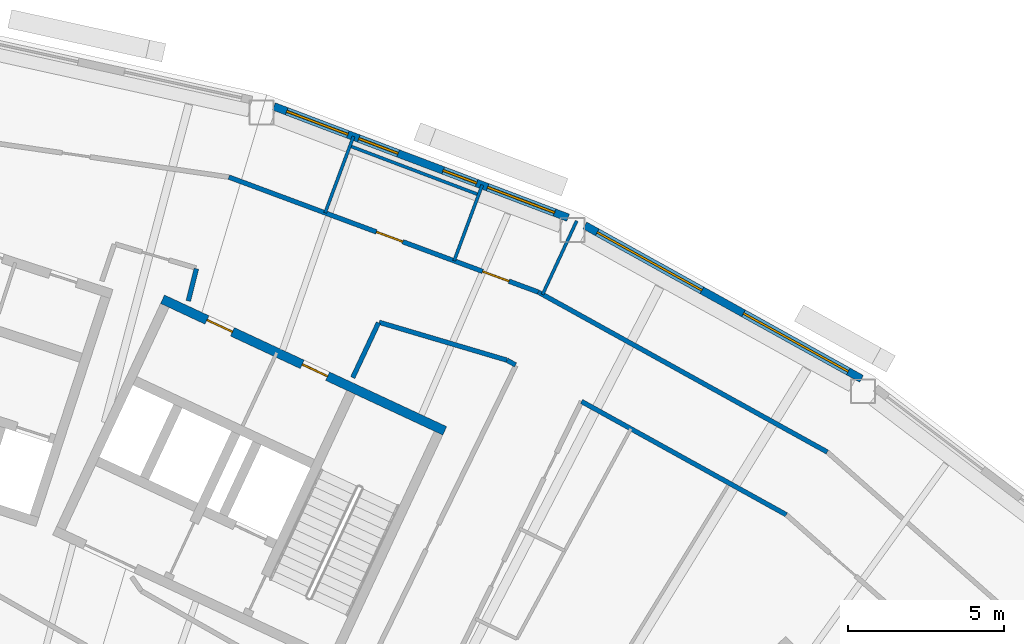
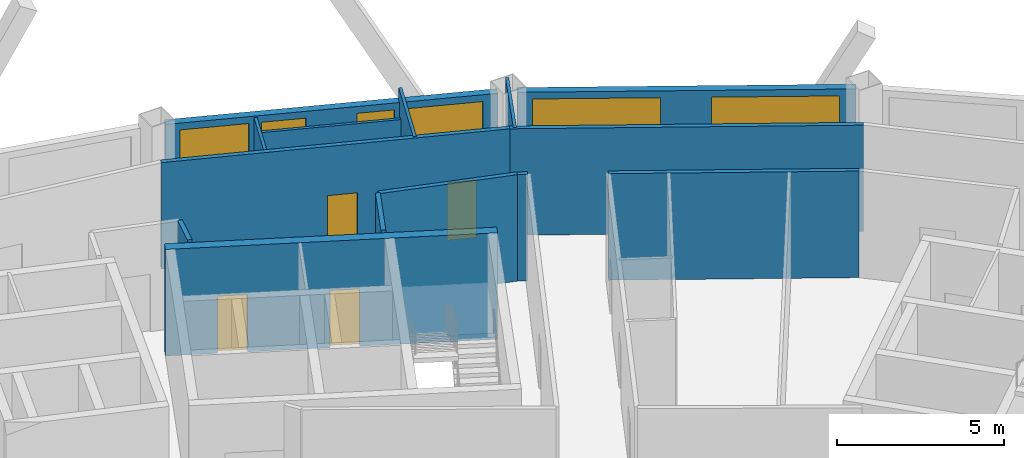
# One storey, part 11 of 14: 14 walls, 6 windows, 4 doors, 10 openings.
"""IFC4 building model written with IfcOpenShell, lengths in metres."""

import ifcopenshell
import ifcopenshell.guid

model = None  # the IFC model being written
_history = None  # IfcOwnerHistory: only IFC2X3 demands one
_inside = {}  # id of a spatial element -> (the spatial element, [elements in it])
_under = {}  # id of a project, library or spatial element -> (it, [spatial elements below it])
_declared = {}  # id of a project -> (the project, [libraries it declares])
_typed = {}  # id of a type object -> (the type object, [elements of that type])
_made_of = {}  # id of a material, layer set ... -> (it, [elements and type objects made of it])


def new_model(schema):
    """Start an empty IFC model of exactly this schema.

    Asked for "IFC4X3", IfcOpenShell would pick the latest addendum, in which some entities
    have other attributes; the version numbers below select the first issue.
    IFC2X3 requires an IfcOwnerHistory on every rooted entity: one is made here for all.
    """
    global model, _history
    if schema == "IFC4X3":
        model = ifcopenshell.file(schema_version=(4, 3, 0, 0))
    else:
        model = ifcopenshell.file(schema=schema)
    _inside.clear()
    _under.clear()
    _declared.clear()
    _typed.clear()
    _made_of.clear()
    _history = None
    if model.schema == "IFC2X3":
        org = make("IfcOrganization", Name="unknown")
        user = make(
            "IfcPersonAndOrganization",
            ThePerson=make("IfcPerson", FamilyName="unknown"),
            TheOrganization=org,
        )
        app = make(
            "IfcApplication",
            ApplicationDeveloper=org,
            Version="unknown",
            ApplicationFullName="unknown",
            ApplicationIdentifier="unknown",
        )
        _history = make(
            "IfcOwnerHistory",
            OwningUser=user,
            OwningApplication=app,
            ChangeAction="ADDED",
            CreationDate=0,
        )
    return model


def make(cls, **values):
    """One entity of the class cls with the attributes given. An attribute that is None is left unset."""
    return model.create_entity(
        cls, **{name: value for name, value in values.items() if value is not None}
    )


def rooted(cls, **values):
    """An entity with a GlobalId (a new one), such as an element, a storey or a relation."""
    return make(cls, GlobalId=ifcopenshell.guid.new(), OwnerHistory=_history, **values)


def si_unit(unit_type, name, prefix=None):
    """IfcSIUnit, for example si_unit("LENGTHUNIT", "METRE", prefix="MILLI")."""
    return make("IfcSIUnit", UnitType=unit_type, Prefix=prefix, Name=name)


def assignment(units):
    """IfcUnitAssignment: the units of a project."""
    return None if units is None else make("IfcUnitAssignment", Units=units)


def point(xyz):
    """IfcCartesianPoint."""
    return None if xyz is None else make("IfcCartesianPoint", Coordinates=xyz)


def direction(xyz):
    """IfcDirection."""
    return None if xyz is None else make("IfcDirection", DirectionRatios=xyz)


def frame(location, z_axis=None, x_axis=None):
    """IfcAxis2Placement3D, a coordinate frame: its origin and axes. An axis left out is left unset."""
    return make(
        "IfcAxis2Placement3D",
        Location=point(location),
        Axis=direction(z_axis),
        RefDirection=direction(x_axis),
    )


def frame_2d(location, x_axis=None):
    """IfcAxis2Placement2D, a coordinate frame in the plane: its origin and x axis."""
    return make(
        "IfcAxis2Placement2D", Location=point(location), RefDirection=direction(x_axis)
    )


def origin():
    """The frame at (0, 0, 0) with its axes left unset."""
    return frame((0.0, 0.0, 0.0))


def place(relative_to, where):
    """IfcLocalPlacement: puts the frame where relative to a parent placement (None: the world)."""
    return make(
        "IfcLocalPlacement", PlacementRelTo=relative_to, RelativePlacement=where
    )


def context(
    kind, dimensions, precision=None, world=None, true_north=None, identifier=None
):
    """IfcGeometricRepresentationContext, for example the 3D "Model" context."""
    return make(
        "IfcGeometricRepresentationContext",
        ContextIdentifier=identifier,
        ContextType=kind,
        CoordinateSpaceDimension=dimensions,
        Precision=precision,
        WorldCoordinateSystem=world,
        TrueNorth=true_north,
    )


def subcontext(parent, identifier, kind, view, scale=None):
    """IfcGeometricRepresentationSubContext, for example "Body" below "Model"."""
    return make(
        "IfcGeometricRepresentationSubContext",
        ContextIdentifier=identifier,
        ContextType=kind,
        ParentContext=parent,
        TargetScale=scale,
        TargetView=view,
    )


def project(units=None, contexts=None):
    """IfcProject with its units and contexts."""
    return rooted(
        "IfcProject",
        Name="project",
        RepresentationContexts=contexts,
        UnitsInContext=assignment(units),
    )


def spatial(cls, under=None, at=None, **own):
    """A site, building, storey or space (cls), placed at a placement, below another one or the project."""
    s = rooted(cls, ObjectPlacement=at, **own)
    if under is not None:
        _under.setdefault(under.id(), (under, []))[1].append(s)
    return s


def profile(cls, at=None, kind="AREA", **sizes):
    """A parametric profile (cls). Its sizes go by their IFC names, for example OverallWidth=200.0."""
    return make(cls, ProfileType=kind, Position=at, **sizes)


def rectangle(**sizes):
    """IfcRectangleProfileDef."""
    return profile("IfcRectangleProfileDef", **sizes)


def extrude(swept, where, along, depth):
    """IfcExtrudedAreaSolid: the profile swept, set in the frame where, extruded along a direction by depth."""
    return make(
        "IfcExtrudedAreaSolid",
        SweptArea=swept,
        Position=where,
        ExtrudedDirection=direction(along),
        Depth=depth,
    )


def shape(context_of_items, identifier, shape_type, items):
    """IfcShapeRepresentation: the items that make up one representation, for example the "Body"."""
    return make(
        "IfcShapeRepresentation",
        ContextOfItems=context_of_items,
        RepresentationIdentifier=identifier,
        RepresentationType=shape_type,
        Items=items,
    )


def material(Name=None, Category=None):
    """IfcMaterial."""
    return make("IfcMaterial", Name=Name, Category=Category)


def layer(
    of_material, thickness, ventilated=None, Name=None, Category=None, Priority=None
):
    """IfcMaterialLayer: one layer of a wall or slab, of a material (None: an air gap)."""
    return make(
        "IfcMaterialLayer",
        Material=of_material,
        LayerThickness=thickness,
        IsVentilated=ventilated,
        Name=Name,
        Category=Category,
        Priority=Priority,
    )


def layer_set(layers, Name=None):
    """IfcMaterialLayerSet."""
    return make("IfcMaterialLayerSet", MaterialLayers=layers, LayerSetName=Name)


def made_of(thing, what):
    """Note that an element or type object is made of a material, layer set ...; save() writes the relation."""
    if what is not None:
        _made_of.setdefault(what.id(), (what, []))[1].append(thing)
    return thing


def type_object(cls, material=None, **own):
    """A type object (cls), such as IfcWallType, which elements share."""
    return made_of(rooted(cls, **own), material)


def element(
    cls,
    number,
    at=None,
    inside=None,
    cuts=None,
    type_object=None,
    material=None,
    context=None,
    identifier="Body",
    shape_type=None,
    held_by="IfcProductDefinitionShape",
    body=None,
    shapes=None,
    **own,
):
    """One element of the class cls, such as IfcWall. Its Tag is "e" and its number.

    at: its placement. inside: the storey or other place that contains it. cuts: it is an
    opening in that element (IfcRelVoidsElement). A single representation is given by context,
    identifier, shape_type and body (its items); several are given by shapes. held_by: the class
    of the entity that holds the representations. save() writes the other relations.
    """
    e = rooted(cls, Tag="e%d" % number, ObjectPlacement=at, **own)
    if body is not None:
        shapes = [shape(context, identifier, shape_type, body)]
    if shapes is not None:
        e.Representation = make(held_by, Representations=shapes)
    if inside is not None:
        _inside.setdefault(inside.id(), (inside, []))[1].append(e)
    if cuts is not None:
        rooted(
            "IfcRelVoidsElement", RelatingBuildingElement=cuts, RelatedOpeningElement=e
        )
    if type_object is not None:
        _typed.setdefault(type_object.id(), (type_object, []))[1].append(e)
    return made_of(e, material)


def fill(opening, filler):
    """IfcRelFillsElement: the door or window that sits in an opening."""
    return rooted(
        "IfcRelFillsElement",
        RelatingOpeningElement=opening,
        RelatedBuildingElement=filler,
    )


def aggregate(whole, parts):
    """IfcRelAggregates: a whole, such as a stair, and the parts it consists of."""
    return rooted("IfcRelAggregates", RelatingObject=whole, RelatedObjects=parts)


def save(model, path):
    """Write the relations noted so far, then the file.

    IfcRelAggregates (storeys below a building ...), IfcRelContainedInSpatialStructure (elements
    in a storey), IfcRelDefinesByType, IfcRelAssociatesMaterial and IfcRelDeclares: one each for
    every whole, place, type object, material and project.
    """
    for whole, parts in _under.values():
        aggregate(whole, parts)
    for where, things in _inside.values():
        rooted(
            "IfcRelContainedInSpatialStructure",
            RelatedElements=things,
            RelatingStructure=where,
        )
    for kind, things in _typed.values():
        rooted("IfcRelDefinesByType", RelatedObjects=things, RelatingType=kind)
    for what, things in _made_of.values():
        rooted("IfcRelAssociatesMaterial", RelatedObjects=things, RelatingMaterial=what)
    for by, libraries in _declared.values():
        rooted("IfcRelDeclares", RelatingContext=by, RelatedDefinitions=libraries)
    model.write(path)


model = new_model("IFC4")

# Units and contexts
model_context = context("Model", 3, precision=1e-05, world=origin(), true_north=direction((0.0, 1.0)))
body_context = subcontext(model_context, "Body", "Model", "MODEL_VIEW")
ifc_project = project(units=[si_unit("LENGTHUNIT", "METRE"), si_unit("AREAUNIT", "SQUARE_METRE"), si_unit("VOLUMEUNIT", "CUBIC_METRE"), si_unit("PLANEANGLEUNIT", "RADIAN"), si_unit("MASSUNIT", "GRAM", prefix="KILO")], contexts=[model_context])

# Site, building, storey
site_placement = place(None, origin())
site = spatial("IfcSite", under=ifc_project, at=site_placement, CompositionType="ELEMENT")
building_placement = place(site_placement, origin())
building = spatial("IfcBuilding", under=site, at=building_placement, Name="Tuul Gate Civic Tower", CompositionType="ELEMENT")
storey_placement = place(building_placement, frame((0.0, 0.0, 265.199951171875)))
storey = spatial("IfcBuildingStorey", under=building, at=storey_placement, Name="Level 60", CompositionType="ELEMENT", Elevation=265.199951171875)

# Wall, openings, doors
ifc_material_1 = material(Name="Concrete C50/60", Category="concrete")
ifc_layer_1 = layer(ifc_material_1, 0.300048828125)
ifc_layer_set_1 = layer_set([ifc_layer_1], Name="Concrete C50/60")
wall_type_1 = type_object("IfcWallType", Name="Core wall C50/60", PredefinedType="SHEAR", material=ifc_layer_set_1)
wall_1_placement = place(storey_placement, frame((37.993408203125, 0.181884765625, 0.0), z_axis=(0.0, 0.0, 1.0), x_axis=(-0.906310338845, 0.422612789327, 0.0)))
wall_1 = element("IfcWall", 1, at=wall_1_placement, inside=storey, type_object=wall_type_1, Name="Core wall", PredefinedType="SHEAR", context=body_context, shape_type="SweptSolid", body=[
    extrude(rectangle(XDim=9.999755859375, YDim=0.300048828125, at=frame_2d((5.0, 0.0))), origin(), (0.0, 0.0, 1.0), 3.900146484375),
])
opening_1_placement = place(wall_1_placement, frame((4.14990234375, 0.0, 0.0)))
opening_1 = element("IfcOpeningElement", 2, at=opening_1_placement, cuts=wall_1, Name="Opening V-D30", PredefinedType="OPENING", context=body_context, shape_type="SweptSolid", body=[
    extrude(rectangle(XDim=0.89990234375, YDim=2.10009765625, at=frame_2d((0.449951171875, 1.050048828125))), frame((0.0, 0.16015625, 0.0), z_axis=(0.0, -1.0, 0.0), x_axis=(1.0, 0.0, 0.0)), (0.0, 0.0, 1.0), 0.320068359375),
])
opening_2_placement = place(wall_1_placement, frame((7.52490234375, 0.0, 0.0)))
opening_2 = element("IfcOpeningElement", 3, at=opening_2_placement, cuts=wall_1, Name="Opening V-D31", PredefinedType="OPENING", context=body_context, shape_type="SweptSolid", body=[
    extrude(rectangle(XDim=0.89990234375, YDim=2.10009765625, at=frame_2d((0.449951171875, 1.050048828125))), frame((0.0, 0.16015625, 0.0), z_axis=(0.0, -1.0, 0.0), x_axis=(1.0, 0.0, 0.0)), (0.0, 0.0, 1.0), 0.320068359375),
])
ifc_material_2 = material(Name="Timber door leaf", Category="wood")
door_type = type_object("IfcDoorType", Name="Door D09", OperationType="NOTDEFINED", PredefinedType="DOOR", material=ifc_material_2)
door_1_placement = place(opening_1_placement, origin())
door_1 = element("IfcDoor", 4, at=door_1_placement, inside=storey, type_object=door_type, Name="Door V-D30", OperationType="SINGLE_SWING_LEFT", OverallHeight=2.10009765625, OverallWidth=0.89990234375, PredefinedType="DOOR", context=body_context, shape_type="SweptSolid", body=[
    extrude(rectangle(XDim=0.89990234375, YDim=2.10009765625, at=frame_2d((0.449951171875, 1.050048828125))), frame((0.0, 0.02490234375, 0.0), z_axis=(0.0, -1.0, 0.0), x_axis=(1.0, 0.0, 0.0)), (0.0, 0.0, 1.0), 0.050048828125),
])
fill(opening_1, door_1)
door_2_placement = place(opening_2_placement, origin())
door_2 = element("IfcDoor", 5, at=door_2_placement, inside=storey, type_object=door_type, Name="Door V-D31", OperationType="SINGLE_SWING_RIGHT", OverallHeight=2.10009765625, OverallWidth=0.89990234375, PredefinedType="DOOR", context=body_context, shape_type="SweptSolid", body=[
    extrude(rectangle(XDim=0.89990234375, YDim=2.10009765625, at=frame_2d((0.449951171875, 1.050048828125))), frame((0.0, 0.02490234375, 0.0), z_axis=(0.0, -1.0, 0.0), x_axis=(1.0, 0.0, 0.0)), (0.0, 0.0, 1.0), 0.050048828125),
])
fill(opening_2, door_2)

# Wall
ifc_material_3 = material(Name="Gypsum board partition")
ifc_layer_2 = layer(ifc_material_3, 0.14990234375)
ifc_layer_set_2 = layer_set([ifc_layer_2], Name="Gypsum board partition")
wall_type_2 = type_object("IfcWallType", Name="Corridor wall P150", PredefinedType="PARTITIONING", material=ifc_layer_set_2)
wall_2_placement = place(storey_placement, frame((40.9990234375, 4.637451171875, 0.0), z_axis=(0.0, 0.0, 1.0), x_axis=(0.874959368945, -0.484196347254, 0.0)))
element("IfcWall", 6, at=wall_2_placement, inside=storey, type_object=wall_type_2, Name="p003", PredefinedType="PARTITIONING", context=body_context, shape_type="SweptSolid", body=[
    extrude(rectangle(XDim=10.608642578125, YDim=0.14990234375, at=frame_2d((5.30419921875, 0.0))), origin(), (0.0, 0.0, 1.0), 3.900146484375),
])

# Wall, openings, doors
wall_3_placement = place(storey_placement, frame((31.0595703125, 8.331787109375, 0.0), z_axis=(0.0, 0.0, 1.0), x_axis=(0.937347092819, -0.348396939687, 0.0)))
wall_3 = element("IfcWall", 7, at=wall_3_placement, inside=storey, type_object=wall_type_2, Name="p010", PredefinedType="PARTITIONING", context=body_context, shape_type="SweptSolid", body=[
    extrude(rectangle(XDim=10.603759765625, YDim=0.14990234375, at=frame_2d((5.3017578125, 0.0))), origin(), (0.0, 0.0, 1.0), 3.900146484375),
])
opening_3_placement = place(wall_3_placement, frame((5.058837890625, 0.0, 0.0)))
opening_3 = element("IfcOpeningElement", 8, at=opening_3_placement, cuts=wall_3, Name="Opening V-D02", PredefinedType="OPENING", context=body_context, shape_type="SweptSolid", body=[
    extrude(rectangle(XDim=0.89990234375, YDim=2.10009765625, at=frame_2d((0.449951171875, 1.050048828125))), frame((0.0, 0.0849609375, 0.0), z_axis=(0.0, -1.0, 0.0), x_axis=(1.0, 0.0, 0.0)), (0.0, 0.0, 1.0), 0.169921875),
])
opening_4_placement = place(wall_3_placement, frame((8.69677734375, 0.0, 0.0)))
opening_4 = element("IfcOpeningElement", 9, at=opening_4_placement, cuts=wall_3, Name="Opening V-D24", PredefinedType="OPENING", context=body_context, shape_type="SweptSolid", body=[
    extrude(rectangle(XDim=0.89990234375, YDim=2.10009765625, at=frame_2d((0.449951171875, 1.050048828125))), frame((0.0, 0.0849609375, 0.0), z_axis=(0.0, -1.0, 0.0), x_axis=(1.0, 0.0, 0.0)), (0.0, 0.0, 1.0), 0.169921875),
])
door_3_placement = place(opening_3_placement, origin())
door_3 = element("IfcDoor", 10, at=door_3_placement, inside=storey, type_object=door_type, Name="Door V-D02", OperationType="SINGLE_SWING_RIGHT", OverallHeight=2.10009765625, OverallWidth=0.89990234375, PredefinedType="DOOR", context=body_context, shape_type="SweptSolid", body=[
    extrude(rectangle(XDim=0.89990234375, YDim=2.10009765625, at=frame_2d((0.449951171875, 1.050048828125))), frame((0.0, 0.02490234375, 0.0), z_axis=(0.0, -1.0, 0.0), x_axis=(1.0, 0.0, 0.0)), (0.0, 0.0, 1.0), 0.050048828125),
])
fill(opening_3, door_3)
door_4_placement = place(opening_4_placement, origin())
door_4 = element("IfcDoor", 11, at=door_4_placement, inside=storey, type_object=door_type, Name="Door V-D24", OperationType="SINGLE_SWING_LEFT", OverallHeight=2.10009765625, OverallWidth=0.89990234375, PredefinedType="DOOR", context=body_context, shape_type="SweptSolid", body=[
    extrude(rectangle(XDim=0.89990234375, YDim=2.10009765625, at=frame_2d((0.449951171875, 1.050048828125))), frame((0.0, 0.02490234375, 0.0), z_axis=(0.0, -1.0, 0.0), x_axis=(1.0, 0.0, 0.0)), (0.0, 0.0, 1.0), 0.050048828125),
])
fill(opening_4, door_4)

# Walls
wall_4_placement = place(storey_placement, frame((35.890869140625, 3.666748046875, 0.0), z_axis=(0.0, 0.0, 1.0), x_axis=(0.958774502784, -0.284168001033, 0.0)))
element("IfcWall", 12, at=wall_4_placement, inside=storey, type_object=wall_type_2, Name="p084", PredefinedType="PARTITIONING", context=body_context, shape_type="SweptSolid", body=[
    extrude(rectangle(XDim=4.277587890625, YDim=0.14990234375, at=frame_2d((2.138671875, 0.0))), origin(), (0.0, 0.0, 1.0), 3.900146484375),
])
wall_5_placement = place(storey_placement, frame((29.75830078125, 4.353759765625, 0.0), z_axis=(0.0, 0.0, 1.0), x_axis=(0.242104450636, 0.970250191952, 0.0)))
element("IfcWall", 13, at=wall_5_placement, inside=storey, type_object=wall_type_2, Name="p085", PredefinedType="PARTITIONING", context=body_context, shape_type="SweptSolid", body=[
    extrude(rectangle(XDim=1.06591796875, YDim=0.14990234375, at=frame_2d((0.532958984375, 0.0))), origin(), (0.0, 0.0, 1.0), 3.900146484375),
])
wall_6_placement = place(storey_placement, frame((39.99609375, 2.449462890625, 0.0), z_axis=(0.0, 0.0, 1.0), x_axis=(0.87504825114, -0.484035699279, 0.0)))
element("IfcWall", 14, at=wall_6_placement, inside=storey, type_object=wall_type_2, Name="p087", PredefinedType="PARTITIONING", context=body_context, shape_type="SweptSolid", body=[
    extrude(rectangle(XDim=0.309814453125, YDim=0.14990234375, at=frame_2d((0.15478515625, 0.0))), origin(), (0.0, 0.0, 1.0), 3.900146484375),
])
wall_7_placement = place(storey_placement, frame((42.386474609375, 1.126708984375, 0.0), z_axis=(0.0, 0.0, 1.0), x_axis=(0.874960280829, -0.484194699446, 0.0)))
element("IfcWall", 15, at=wall_7_placement, inside=storey, type_object=wall_type_2, Name="p088", PredefinedType="PARTITIONING", context=body_context, shape_type="SweptSolid", body=[
    extrude(rectangle(XDim=7.517822265625, YDim=0.14990234375, at=frame_2d((3.7587890625, 0.0))), origin(), (0.0, 0.0, 1.0), 3.900146484375),
])
wall_8_placement = place(storey_placement, frame((35.039306640625, 1.89111328125, 0.0), z_axis=(0.0, 0.0, 1.0), x_axis=(0.424578267816, 0.90539123836, 0.0)))
element("IfcWall", 16, at=wall_8_placement, inside=storey, type_object=wall_type_2, Name="p093", PredefinedType="PARTITIONING", context=body_context, shape_type="SweptSolid", body=[
    extrude(rectangle(XDim=1.94921875, YDim=0.14990234375, at=frame_2d((0.974609375, 0.0))), origin(), (0.0, 0.0, 1.0), 3.900146484375),
])

# Wall, openings, windows
ifc_material_4 = material(Name="Precast concrete C40/50", Category="concrete")
ifc_layer_3 = layer(ifc_material_4, 0.25)
ifc_layer_set_3 = layer_set([ifc_layer_3], Name="Precast concrete C40/50")
wall_type_3 = type_object("IfcWallType", Name="External wall", PredefinedType="STANDARD", material=ifc_layer_set_3)
wall_9_placement = place(storey_placement, frame((51.380615234375, 1.85205078125, 0.0), z_axis=(0.0, 0.0, 1.0), x_axis=(-0.87463069098, 0.484789804345, 0.0)))
wall_9 = element("IfcWall", 17, at=wall_9_placement, inside=storey, type_object=wall_type_3, Name="External wall", PredefinedType="STANDARD", context=body_context, shape_type="SweptSolid", body=[
    extrude(rectangle(XDim=10.1591796875, YDim=0.25, at=frame_2d((5.07958984375, 0.0))), origin(), (0.0, 0.0, 1.0), 3.449951171875),
])
opening_5_placement = place(wall_9_placement, frame((0.48779296875, 0.0, 0.89990234375)))
opening_5 = element("IfcOpeningElement", 18, at=opening_5_placement, cuts=wall_9, Name="Opening W22", PredefinedType="OPENING", context=body_context, shape_type="SweptSolid", body=[
    extrude(rectangle(XDim=3.85009765625, YDim=2.300048828125, at=frame_2d((1.925048828125, 1.14990234375))), frame((0.0, 0.135009765625, 0.0), z_axis=(0.0, -1.0, 0.0), x_axis=(1.0, 0.0, 0.0)), (0.0, 0.0, 1.0), 0.27001953125),
])
opening_6_placement = place(wall_9_placement, frame((5.859130859375, 0.0, 0.89990234375)))
opening_6 = element("IfcOpeningElement", 19, at=opening_6_placement, cuts=wall_9, Name="Opening W22", PredefinedType="OPENING", context=body_context, shape_type="SweptSolid", body=[
    extrude(rectangle(XDim=3.85009765625, YDim=2.300048828125, at=frame_2d((1.925048828125, 1.14990234375))), frame((0.0, 0.135009765625, 0.0), z_axis=(0.0, -1.0, 0.0), x_axis=(1.0, 0.0, 0.0)), (0.0, 0.0, 1.0), 0.27001953125),
])
ifc_material_5 = material(Name="Glass", Category="glass")
window_type_1 = type_object("IfcWindowType", Name="Window W22 3850 x 2300", PartitioningType="SINGLE_PANEL", PredefinedType="WINDOW", material=ifc_material_5)
window_1_placement = place(opening_5_placement, origin())
window_1 = element("IfcWindow", 20, at=window_1_placement, inside=storey, type_object=window_type_1, Name="Window", OverallHeight=2.300048828125, OverallWidth=3.85009765625, PartitioningType="SINGLE_PANEL", PredefinedType="WINDOW", context=body_context, shape_type="SweptSolid", body=[
    extrude(rectangle(XDim=3.85009765625, YDim=2.300048828125, at=frame_2d((1.925048828125, 1.14990234375))), frame((0.0, 0.030029296875, 0.0), z_axis=(0.0, -1.0, 0.0), x_axis=(1.0, 0.0, 0.0)), (0.0, 0.0, 1.0), 0.06005859375),
])
fill(opening_5, window_1)
window_2_placement = place(opening_6_placement, origin())
window_2 = element("IfcWindow", 21, at=window_2_placement, inside=storey, type_object=window_type_1, Name="Window", OverallHeight=2.300048828125, OverallWidth=3.85009765625, PartitioningType="SINGLE_PANEL", PredefinedType="WINDOW", context=body_context, shape_type="SweptSolid", body=[
    extrude(rectangle(XDim=3.85009765625, YDim=2.300048828125, at=frame_2d((1.925048828125, 1.14990234375))), frame((0.0, 0.030029296875, 0.0), z_axis=(0.0, -1.0, 0.0), x_axis=(1.0, 0.0, 0.0)), (0.0, 0.0, 1.0), 0.06005859375),
])
fill(opening_6, window_2)

wall_10_placement = place(storey_placement, frame((41.954345703125, 7.028076171875, 0.0), z_axis=(0.0, 0.0, 1.0), x_axis=(-0.935343984789, 0.353739494712, 0.0)))
wall_10 = element("IfcWall", 22, at=wall_10_placement, inside=storey, type_object=wall_type_3, Name="External wall", PredefinedType="STANDARD", context=body_context, shape_type="SweptSolid", body=[
    extrude(rectangle(XDim=10.099365234375, YDim=0.25, at=frame_2d((5.0498046875, 0.0))), origin(), (0.0, 0.0, 1.0), 3.449951171875),
])
opening_7_placement = place(wall_10_placement, frame((5.8349609375, 0.0, 0.89990234375)))
opening_7 = element("IfcOpeningElement", 23, at=opening_7_placement, cuts=wall_10, Name="Opening W66", PredefinedType="OPENING", context=body_context, shape_type="SweptSolid", body=[
    extrude(rectangle(XDim=1.35009765625, YDim=2.300048828125, at=frame_2d((0.675048828125, 1.14990234375))), frame((0.0, 0.135009765625, 0.0), z_axis=(0.0, -1.0, 0.0), x_axis=(1.0, 0.0, 0.0)), (0.0, 0.0, 1.0), 0.27001953125),
])
opening_8_placement = place(wall_10_placement, frame((7.559814453125, 0.0, 0.89990234375)))
opening_8 = element("IfcOpeningElement", 24, at=opening_8_placement, cuts=wall_10, Name="Opening W40", PredefinedType="OPENING", context=body_context, shape_type="SweptSolid", body=[
    extrude(rectangle(XDim=2.10009765625, YDim=2.300048828125, at=frame_2d((1.050048828125, 1.14990234375))), frame((0.0, 0.135009765625, 0.0), z_axis=(0.0, -1.0, 0.0), x_axis=(1.0, 0.0, 0.0)), (0.0, 0.0, 1.0), 0.27001953125),
])
opening_9_placement = place(wall_10_placement, frame((0.46435546875, 0.0, 0.89990234375)))
opening_9 = element("IfcOpeningElement", 25, at=opening_9_placement, cuts=wall_10, Name="Opening W34", PredefinedType="OPENING", context=body_context, shape_type="SweptSolid", body=[
    extrude(rectangle(XDim=2.300048828125, YDim=2.300048828125, at=frame_2d((1.14990234375, 1.14990234375))), frame((0.0, 0.135009765625, 0.0), z_axis=(0.0, -1.0, 0.0), x_axis=(1.0, 0.0, 0.0)), (0.0, 0.0, 1.0), 0.27001953125),
])
opening_10_placement = place(wall_10_placement, frame((3.13916015625, 0.0, 0.89990234375)))
opening_10 = element("IfcOpeningElement", 26, at=opening_10_placement, cuts=wall_10, Name="Opening W43", PredefinedType="OPENING", context=body_context, shape_type="SweptSolid", body=[
    extrude(rectangle(XDim=1.14990234375, YDim=2.300048828125, at=frame_2d((0.574951171875, 1.14990234375))), frame((0.0, 0.135009765625, 0.0), z_axis=(0.0, -1.0, 0.0), x_axis=(1.0, 0.0, 0.0)), (0.0, 0.0, 1.0), 0.27001953125),
])
ifc_material_6 = material(Name="Glass", Category="glass")
window_type_2 = type_object("IfcWindowType", Name="Window 1150 x 2300", PartitioningType="SINGLE_PANEL", PredefinedType="WINDOW", material=ifc_material_6)
window_3_placement = place(opening_10_placement, origin())
window_3 = element("IfcWindow", 27, at=window_3_placement, inside=storey, type_object=window_type_2, Name="Window", OverallHeight=2.300048828125, OverallWidth=1.14990234375, PartitioningType="SINGLE_PANEL", PredefinedType="WINDOW", context=body_context, shape_type="SweptSolid", body=[
    extrude(rectangle(XDim=1.14990234375, YDim=2.300048828125, at=frame_2d((0.574951171875, 1.14990234375))), frame((0.0, 0.030029296875, 0.0), z_axis=(0.0, -1.0, 0.0), x_axis=(1.0, 0.0, 0.0)), (0.0, 0.0, 1.0), 0.06005859375),
])
fill(opening_10, window_3)
ifc_material_7 = material(Name="Glass", Category="glass")
window_type_3 = type_object("IfcWindowType", Name="Window 1350 x 2300", PartitioningType="SINGLE_PANEL", PredefinedType="WINDOW", material=ifc_material_7)
window_4_placement = place(opening_7_placement, origin())
window_4 = element("IfcWindow", 28, at=window_4_placement, inside=storey, type_object=window_type_3, Name="Window", OverallHeight=2.300048828125, OverallWidth=1.35009765625, PartitioningType="SINGLE_PANEL", PredefinedType="WINDOW", context=body_context, shape_type="SweptSolid", body=[
    extrude(rectangle(XDim=1.35009765625, YDim=2.300048828125, at=frame_2d((0.675048828125, 1.14990234375))), frame((0.0, 0.030029296875, 0.0), z_axis=(0.0, -1.0, 0.0), x_axis=(1.0, 0.0, 0.0)), (0.0, 0.0, 1.0), 0.06005859375),
])
fill(opening_7, window_4)
ifc_material_8 = material(Name="Glass", Category="glass")
window_type_4 = type_object("IfcWindowType", Name="Window 2100 x 2300", PartitioningType="SINGLE_PANEL", PredefinedType="WINDOW", material=ifc_material_8)
window_5_placement = place(opening_8_placement, origin())
window_5 = element("IfcWindow", 29, at=window_5_placement, inside=storey, type_object=window_type_4, Name="Window", OverallHeight=2.300048828125, OverallWidth=2.10009765625, PartitioningType="SINGLE_PANEL", PredefinedType="WINDOW", context=body_context, shape_type="SweptSolid", body=[
    extrude(rectangle(XDim=2.10009765625, YDim=2.300048828125, at=frame_2d((1.050048828125, 1.14990234375))), frame((0.0, 0.030029296875, 0.0), z_axis=(0.0, -1.0, 0.0), x_axis=(1.0, 0.0, 0.0)), (0.0, 0.0, 1.0), 0.06005859375),
])
fill(opening_8, window_5)
ifc_material_9 = material(Name="Glass", Category="glass")
window_type_5 = type_object("IfcWindowType", Name="Window 2300 x 2300", PartitioningType="SINGLE_PANEL", PredefinedType="WINDOW", material=ifc_material_9)
window_6_placement = place(opening_9_placement, origin())
window_6 = element("IfcWindow", 30, at=window_6_placement, inside=storey, type_object=window_type_5, Name="Window", OverallHeight=2.300048828125, OverallWidth=2.300048828125, PartitioningType="SINGLE_PANEL", PredefinedType="WINDOW", context=body_context, shape_type="SweptSolid", body=[
    extrude(rectangle(XDim=2.300048828125, YDim=2.300048828125, at=frame_2d((1.14990234375, 1.14990234375))), frame((0.0, 0.030029296875, 0.0), z_axis=(0.0, -1.0, 0.0), x_axis=(1.0, 0.0, 0.0)), (0.0, 0.0, 1.0), 0.06005859375),
])
fill(opening_9, window_6)

# Walls
ifc_material_10 = material(Name="Gypsum board partition")
ifc_layer_4 = layer(ifc_material_10, 0.10009765625)
ifc_layer_set_4 = layer_set([ifc_layer_4], Name="Gypsum board partition")
wall_type_4 = type_object("IfcWallType", Name="Partition P100", PredefinedType="PARTITIONING", material=ifc_layer_set_4)
wall_11_placement = place(storey_placement, frame((41.136962890625, 4.56103515625, 0.0), z_axis=(0.0, 0.0, 1.0), x_axis=(0.420357646675, 0.907358500749, 0.0)))
element("IfcWall", 31, at=wall_11_placement, inside=storey, type_object=wall_type_4, Name="p008", PredefinedType="PARTITIONING", context=body_context, shape_type="SweptSolid", body=[
    extrude(rectangle(XDim=2.6083984375, YDim=0.10009765625, at=frame_2d((1.30419921875, 0.0))), origin(), (0.0, 0.0, 1.0), 3.900146484375),
])
wall_12_placement = place(storey_placement, frame((38.294677734375, 5.642578125, 0.0), z_axis=(0.0, 0.0, 1.0), x_axis=(0.348410881789, 0.937341910645, 0.0)))
element("IfcWall", 32, at=wall_12_placement, inside=storey, type_object=wall_type_4, Name="p011", PredefinedType="PARTITIONING", context=body_context, shape_type="SweptSolid", body=[
    extrude(rectangle(XDim=2.595458984375, YDim=0.10009765625, at=frame_2d((1.2978515625, 0.0))), origin(), (0.0, 0.0, 1.0), 3.900146484375),
])
ifc_material_11 = material(Name="Gypsum board partition")
ifc_layer_5 = layer(ifc_material_11, 0.10009765625)
ifc_layer_set_5 = layer_set([ifc_layer_5], Name="Gypsum board partition")
wall_type_5 = type_object("IfcWallType", Name="Partition P100 3000 HIGH", PredefinedType="PARTITIONING", material=ifc_layer_set_5)
wall_13_placement = place(storey_placement, frame((34.94970703125, 9.32958984375, 0.0), z_axis=(0.0, 0.0, 1.0), x_axis=(0.935349489242, -0.353724939713, 0.0)))
element("IfcWall", 33, at=wall_13_placement, inside=storey, type_object=wall_type_5, Name="p103", PredefinedType="PARTITIONING", context=body_context, shape_type="SweptSolid", body=[
    extrude(rectangle(XDim=4.419921875, YDim=0.10009765625, at=frame_2d((2.2099609375, 0.0))), origin(), (0.0, 0.0, 1.0), 3.0),
])
ifc_material_12 = material(Name="Gypsum board partition")
ifc_layer_6 = layer(ifc_material_12, 0.10009765625)
ifc_layer_set_6 = layer_set([ifc_layer_6], Name="Gypsum board partition")
wall_type_6 = type_object("IfcWallType", Name="Partition P100 3400 HIGH", PredefinedType="PARTITIONING", material=ifc_layer_set_6)
wall_14_placement = place(storey_placement, frame((34.151611328125, 7.1826171875, 0.0), z_axis=(0.0, 0.0, 1.0), x_axis=(0.348436806024, 0.937332274174, 0.0)))
element("IfcWall", 34, at=wall_14_placement, inside=storey, type_object=wall_type_6, Name="p009", PredefinedType="PARTITIONING", context=body_context, shape_type="SweptSolid", body=[
    extrude(rectangle(XDim=2.62060546875, YDim=0.10009765625, at=frame_2d((1.310302734375, 0.0))), origin(), (0.0, 0.0, 1.0), 3.400146484375),
])

save(model, "model.ifc")
